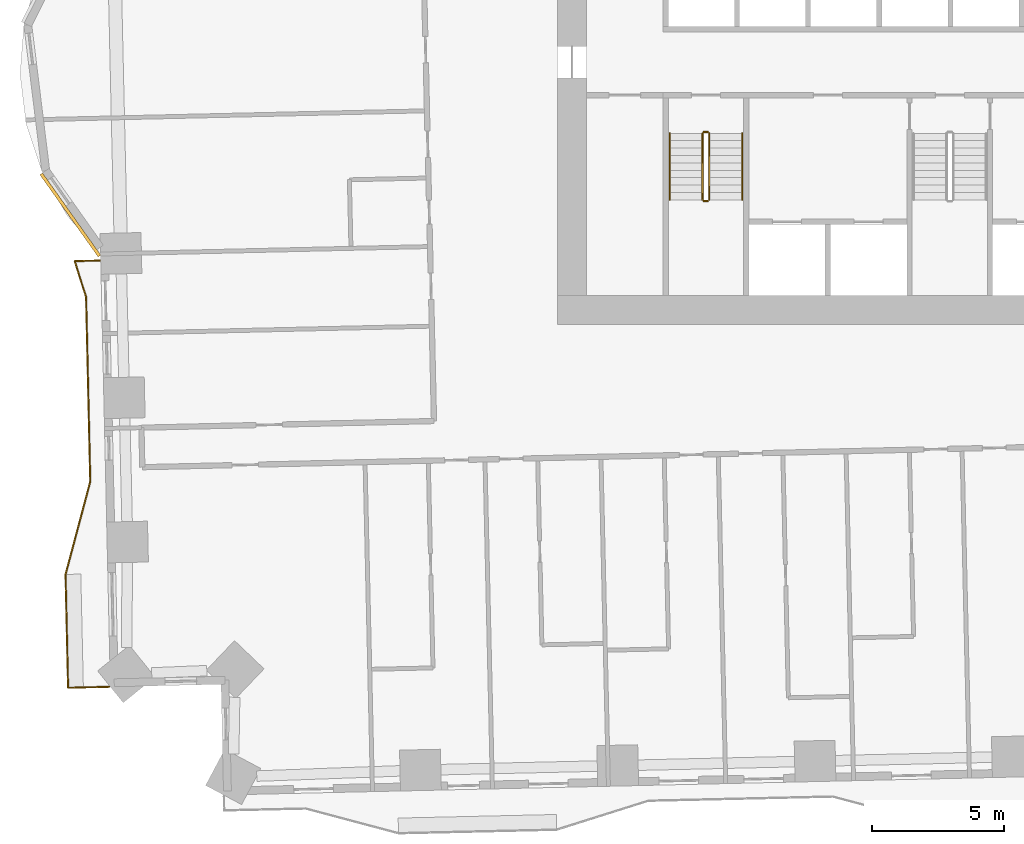
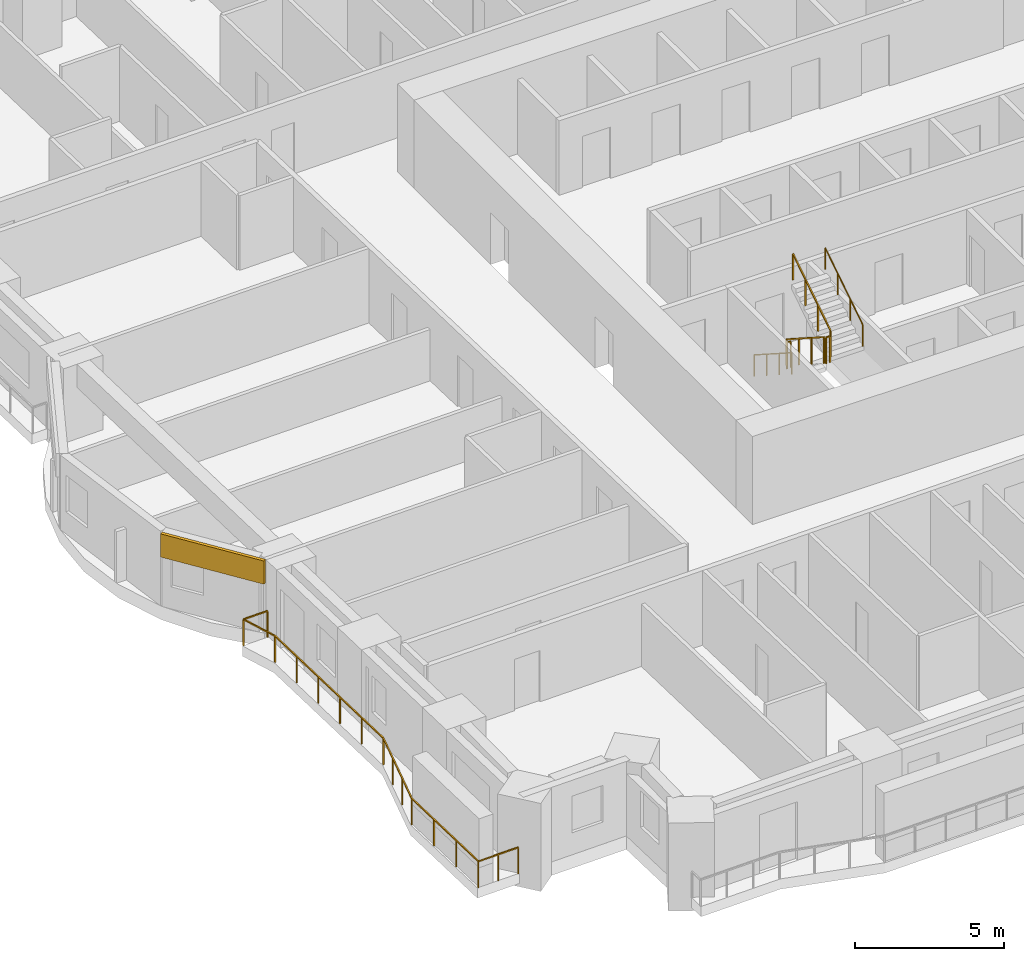
# One storey, part 13 of 16: 7 railings, 1 covering.
"""IFC4 building model written with IfcOpenShell, lengths in metres."""

from ifc_helpers import new_model, si_unit, direction, frame, frame_2d, origin, origin_2d, place, context, subcontext, project, spatial, rectangle, circle, extrude, material, layer, layer_set, type_object, element, save


model = new_model("IFC4")

# Units and contexts
model_context = context("Model", 3, precision=1e-05, world=origin(), true_north=direction((0.0, 1.0)))
body_context = subcontext(model_context, "Body", "Model", "MODEL_VIEW")
ifc_project = project(units=[si_unit("LENGTHUNIT", "METRE"), si_unit("AREAUNIT", "SQUARE_METRE"), si_unit("VOLUMEUNIT", "CUBIC_METRE"), si_unit("PLANEANGLEUNIT", "RADIAN"), si_unit("MASSUNIT", "GRAM", prefix="KILO")], contexts=[model_context])

# Site, building, storey
site_placement = place(None, origin())
site = spatial("IfcSite", under=ifc_project, at=site_placement, CompositionType="ELEMENT")
building_placement = place(site_placement, origin())
building = spatial("IfcBuilding", under=site, at=building_placement, Name="Mangrove Gate Tower", CompositionType="ELEMENT")
storey_placement = place(building_placement, frame((0.0, 0.0, 34.10009765625)))
storey = spatial("IfcBuildingStorey", under=building, at=storey_placement, Name="L07", CompositionType="ELEMENT", Elevation=34.10009765625)

# Railings
ifc_material_1 = material(Name="Stainless steel grade 316 with laminated glass infill", Category="steel")
railing_type_1 = type_object("IfcRailingType", Name="Balcony guard 1100", PredefinedType="GUARDRAIL", material=ifc_material_1)
railing_1_placement = place(storey_placement, frame((-32.27001953125, -9.472900390625, 0.0)))
element("IfcRailing", 1, at=railing_1_placement, inside=storey, type_object=railing_type_1, Name="GUARD L07 W2", PredefinedType="GUARDRAIL", context=body_context, shape_type="SweptSolid", body=[
    extrude(rectangle(XDim=0.048095703125, YDim=0.048095703125, at=origin_2d()), frame((0.0, 0.0, 1.076171875), z_axis=(-0.999724935836, -0.02345320164, 0.0), x_axis=(0.02345320164, -0.999724935836, 0.0)), (0.0, 0.0, 1.0), 0.947265625),
    extrude(rectangle(XDim=0.048095703125, YDim=0.048095703125, at=origin_2d()), frame((-0.947021484375, -0.022216796875, 1.076171875), z_axis=(0.301196667135, -0.953562041876, 0.0), x_axis=(0.953562041876, 0.301196667135, 0.0)), (0.0, 0.0, 1.0), 1.431396484375),
    extrude(rectangle(XDim=0.048095703125, YDim=0.048095703125, at=origin_2d()), frame((-0.515869140625, -1.38720703125, 1.076171875), z_axis=(0.022706351659, -0.999742177561, 0.0), x_axis=(0.999742177561, 0.022706351659, 0.0)), (0.0, 0.0, 1.0), 6.99951171875),
    extrude(rectangle(XDim=0.048095703125, YDim=0.048095703125, at=origin_2d()), frame((-0.35693359375, -8.385009765625, 1.076171875), z_axis=(-0.257354119999, -0.966317161661, 0.0), x_axis=(0.966317161661, -0.257354119999, 0.0)), (0.0, 0.0, 1.0), 3.644775390625),
    extrude(rectangle(XDim=0.048095703125, YDim=0.048095703125, at=origin_2d()), frame((-1.294921875, -11.906982421875, 1.076171875), z_axis=(0.022539561751, -0.999745951808, 0.0), x_axis=(0.999745951808, 0.022539561751, 0.0)), (0.0, 0.0, 1.0), 4.300048828125),
    extrude(rectangle(XDim=0.048095703125, YDim=0.048095703125, at=origin_2d()), frame((-1.197998046875, -16.2060546875, 1.076171875), z_axis=(0.999751249507, 0.022303343008, 0.0), x_axis=(-0.022303343008, 0.999751249507, 0.0)), (0.0, 0.0, 1.0), 1.5654296875),
    extrude(rectangle(XDim=0.0419921875, YDim=0.0419921875, at=origin_2d()), origin(), (0.0, 0.0, 1.0), 1.052001953125),
    extrude(rectangle(XDim=0.0419921875, YDim=0.0419921875, at=origin_2d()), frame((-0.947021484375, -0.022216796875, 0.0)), (0.0, 0.0, 1.0), 1.052001953125),
    extrude(rectangle(XDim=0.0419921875, YDim=0.0419921875, at=origin_2d()), frame((-0.515869140625, -1.38720703125, 0.0)), (0.0, 0.0, 1.0), 1.052001953125),
    extrude(rectangle(XDim=0.0419921875, YDim=0.0419921875, at=origin_2d()), frame((-0.484130859375, -2.786865234375, 0.0)), (0.0, 0.0, 1.0), 1.052001953125),
    extrude(rectangle(XDim=0.0419921875, YDim=0.0419921875, at=origin_2d()), frame((-0.452392578125, -4.186279296875, 0.0)), (0.0, 0.0, 1.0), 1.052001953125),
    extrude(rectangle(XDim=0.0419921875, YDim=0.0419921875, at=origin_2d()), frame((-0.42041015625, -5.5859375, 0.0)), (0.0, 0.0, 1.0), 1.052001953125),
    extrude(rectangle(XDim=0.0419921875, YDim=0.0419921875, at=origin_2d()), frame((-0.388671875, -6.9853515625, 0.0)), (0.0, 0.0, 1.0), 1.052001953125),
    extrude(rectangle(XDim=0.0419921875, YDim=0.0419921875, at=origin_2d()), frame((-0.35693359375, -8.385009765625, 0.0)), (0.0, 0.0, 1.0), 1.052001953125),
    extrude(rectangle(XDim=0.0419921875, YDim=0.0419921875, at=origin_2d()), frame((-0.669677734375, -9.55908203125, 0.0)), (0.0, 0.0, 1.0), 1.052001953125),
    extrude(rectangle(XDim=0.0419921875, YDim=0.0419921875, at=origin_2d()), frame((-0.982177734375, -10.73291015625, 0.0)), (0.0, 0.0, 1.0), 1.052001953125),
    extrude(rectangle(XDim=0.0419921875, YDim=0.0419921875, at=origin_2d()), frame((-1.294921875, -11.906982421875, 0.0)), (0.0, 0.0, 1.0), 1.052001953125),
    extrude(rectangle(XDim=0.0419921875, YDim=0.0419921875, at=origin_2d()), frame((-1.2626953125, -13.340087890625, 0.0)), (0.0, 0.0, 1.0), 1.052001953125),
    extrude(rectangle(XDim=0.0419921875, YDim=0.0419921875, at=origin_2d()), frame((-1.230224609375, -14.77294921875, 0.0)), (0.0, 0.0, 1.0), 1.052001953125),
    extrude(rectangle(XDim=0.0419921875, YDim=0.0419921875, at=origin_2d()), frame((-1.197998046875, -16.2060546875, 0.0)), (0.0, 0.0, 1.0), 1.052001953125),
    extrude(rectangle(XDim=0.0419921875, YDim=0.0419921875, at=origin_2d()), frame((-0.41552734375, -16.1884765625, 0.0)), (0.0, 0.0, 1.0), 1.052001953125),
    extrude(rectangle(XDim=0.0419921875, YDim=0.0419921875, at=origin_2d()), frame((0.366943359375, -16.171142578125, 0.0)), (0.0, 0.0, 1.0), 1.052001953125),
])
ifc_material_2 = material(Name="Stainless steel 316", Category="steel")
railing_type_2 = type_object("IfcRailingType", Name="Core stair guard 1100", PredefinedType="GUARDRAIL", material=ifc_material_2)
railing_2_placement = place(storey_placement, frame((-9.39990234375, -4.64990234375, 0.179931640625)))
element("IfcRailing", 2, at=railing_2_placement, inside=storey, type_object=railing_type_2, Name="L07 ST1 stair guard 1", PredefinedType="GUARDRAIL", context=body_context, shape_type="SweptSolid", body=[
    extrude(rectangle(XDim=0.048095703125, YDim=0.048095703125, at=origin_2d()), frame((0.0, 0.0, 1.076171875), z_axis=(0.0, -0.841199657755, 0.540724639528), x_axis=(1.0, 0.0, 0.0)), (0.0, 0.0, 1.0), 2.995849609375),
    extrude(rectangle(XDim=0.0419921875, YDim=0.0419921875, at=origin_2d()), origin(), (0.0, 0.0, 1.0), 1.052001953125),
    extrude(rectangle(XDim=0.0419921875, YDim=0.0419921875, at=origin_2d()), frame((0.0, -0.840087890625, 0.5400390625)), (0.0, 0.0, 1.0), 1.052001953125),
    extrude(rectangle(XDim=0.0419921875, YDim=0.0419921875, at=origin_2d()), frame((0.0, -1.679931640625, 1.079833984375)), (0.0, 0.0, 1.0), 1.052001953125),
    extrude(rectangle(XDim=0.0419921875, YDim=0.0419921875, at=origin_2d()), frame((0.0, -2.52001953125, 1.619873046875)), (0.0, 0.0, 1.0), 1.052001953125),
])
railing_3_placement = place(storey_placement, frame((-9.35009765625, -7.219970703125, 1.7998046875)))
element("IfcRailing", 3, at=railing_3_placement, inside=storey, type_object=railing_type_2, Name="L07 ST1 stair guard 2", PredefinedType="GUARDRAIL", context=body_context, shape_type="SweptSolid", body=[
    extrude(rectangle(XDim=0.048095703125, YDim=0.048095703125, at=origin_2d()), frame((0.0, 0.0, 1.076171875), z_axis=(1.0, 0.0, 0.0), x_axis=(0.0, 1.0, 0.0)), (0.0, 0.0, 1.0), 0.150146484375),
    extrude(rectangle(XDim=0.0419921875, YDim=0.0419921875, at=origin_2d()), origin(), (0.0, 0.0, 1.0), 1.052001953125),
    extrude(rectangle(XDim=0.0419921875, YDim=0.0419921875, at=origin_2d()), frame((0.150146484375, 0.0, 0.0)), (0.0, 0.0, 1.0), 1.052001953125),
])
railing_4_placement = place(storey_placement, frame((-9.14990234375, -7.169921875, 1.97998046875)))
element("IfcRailing", 4, at=railing_4_placement, inside=storey, type_object=railing_type_2, Name="L07 ST1 stair guard 3", PredefinedType="GUARDRAIL", context=body_context, shape_type="SweptSolid", body=[
    extrude(rectangle(XDim=0.048095703125, YDim=0.048095703125, at=origin_2d()), frame((0.0, 0.0, 1.076171875), z_axis=(0.0, 0.841199657755, 0.540724639528), x_axis=(-1.0, 0.0, 0.0)), (0.0, 0.0, 1.0), 2.995849609375),
    extrude(rectangle(XDim=0.0419921875, YDim=0.0419921875, at=origin_2d()), origin(), (0.0, 0.0, 1.0), 1.052001953125),
    extrude(rectangle(XDim=0.0419921875, YDim=0.0419921875, at=origin_2d()), frame((0.0, 0.840087890625, 0.5400390625)), (0.0, 0.0, 1.0), 1.052001953125),
    extrude(rectangle(XDim=0.0419921875, YDim=0.0419921875, at=origin_2d()), frame((0.0, 1.679931640625, 1.079833984375)), (0.0, 0.0, 1.0), 1.052001953125),
    extrude(rectangle(XDim=0.0419921875, YDim=0.0419921875, at=origin_2d()), frame((0.0, 2.52001953125, 1.619873046875)), (0.0, 0.0, 1.0), 1.052001953125),
])
railing_5_placement = place(storey_placement, frame((-9.35009765625, -4.60009765625, 0.0)))
element("IfcRailing", 5, at=railing_5_placement, inside=storey, type_object=railing_type_2, Name="L07 ST1 stair guard 4", PredefinedType="GUARDRAIL", context=body_context, shape_type="SweptSolid", body=[
    extrude(rectangle(XDim=0.048095703125, YDim=0.048095703125, at=origin_2d()), frame((0.0, 0.0, 1.076171875), z_axis=(1.0, 0.0, 0.0), x_axis=(0.0, 1.0, 0.0)), (0.0, 0.0, 1.0), 0.150146484375),
    extrude(rectangle(XDim=0.0419921875, YDim=0.0419921875, at=origin_2d()), origin(), (0.0, 0.0, 1.0), 1.052001953125),
    extrude(rectangle(XDim=0.0419921875, YDim=0.0419921875, at=origin_2d()), frame((0.150146484375, 0.0, 0.0)), (0.0, 0.0, 1.0), 1.052001953125),
])
ifc_material_3 = material(Name="Stainless steel 316", Category="steel")
railing_type_3 = type_object("IfcRailingType", Name="Core stair handrail 900", PredefinedType="HANDRAIL", material=ifc_material_3)
railing_6_placement = place(storey_placement, frame((-10.64990234375, -4.64990234375, 0.179931640625)))
element("IfcRailing", 6, at=railing_6_placement, inside=storey, type_object=railing_type_3, Name="L07 ST1 stair handrail 1", PredefinedType="HANDRAIL", context=body_context, shape_type="SweptSolid", body=[
    extrude(circle(Radius=0.02392578125, at=origin_2d()), frame((0.0, 0.0, 0.8759765625), z_axis=(0.0, -0.841199657755, 0.540724639528), x_axis=(1.0, 0.0, 0.0)), (0.0, 0.0, 1.0), 2.995849609375),
    extrude(circle(Radius=0.02099609375, at=origin_2d()), origin(), (0.0, 0.0, 1.0), 0.851806640625),
    extrude(circle(Radius=0.02099609375, at=origin_2d()), frame((0.0, -0.840087890625, 0.5400390625)), (0.0, 0.0, 1.0), 0.851806640625),
    extrude(circle(Radius=0.02099609375, at=origin_2d()), frame((0.0, -1.679931640625, 1.079833984375)), (0.0, 0.0, 1.0), 0.851806640625),
    extrude(circle(Radius=0.02099609375, at=origin_2d()), frame((0.0, -2.52001953125, 1.619873046875)), (0.0, 0.0, 1.0), 0.851806640625),
])
railing_7_placement = place(storey_placement, frame((-7.89990234375, -7.169921875, 1.97998046875)))
element("IfcRailing", 7, at=railing_7_placement, inside=storey, type_object=railing_type_3, Name="L07 ST1 stair handrail 2", PredefinedType="HANDRAIL", context=body_context, shape_type="SweptSolid", body=[
    extrude(circle(Radius=0.02392578125, at=origin_2d()), frame((0.0, 0.0, 0.8759765625), z_axis=(0.0, 0.841199657755, 0.540724639528), x_axis=(-1.0, 0.0, 0.0)), (0.0, 0.0, 1.0), 2.995849609375),
    extrude(circle(Radius=0.02099609375, at=origin_2d()), origin(), (0.0, 0.0, 1.0), 0.851806640625),
    extrude(circle(Radius=0.02099609375, at=origin_2d()), frame((0.0, 0.840087890625, 0.5400390625)), (0.0, 0.0, 1.0), 0.851806640625),
    extrude(circle(Radius=0.02099609375, at=origin_2d()), frame((0.0, 1.679931640625, 1.079833984375)), (0.0, 0.0, 1.0), 0.851806640625),
    extrude(circle(Radius=0.02099609375, at=origin_2d()), frame((0.0, 2.52001953125, 1.619873046875)), (0.0, 0.0, 1.0), 0.851806640625),
])

# Covering
ifc_material_4 = material(Name="Limestone", Category="masonry")
ifc_layer_1 = layer(ifc_material_4, 0.0400390625, Name="Limestone cladding")
ifc_material_5 = material(Name="Stainless steel anchors and cavity", Category="steel")
ifc_layer_2 = layer(ifc_material_5, 0.080078125, Name="Fixing cavity")
ifc_layer_set = layer_set([ifc_layer_1, ifc_layer_2], Name="Joint fascia cladding 120")
covering_type = type_object("IfcCoveringType", Name="Joint fascia cladding 120", PredefinedType="CLADDING", material=ifc_layer_set)
covering_placement = place(storey_placement, frame((-34.486083984375, -6.18701171875, 2.099853515625), z_axis=(0.0, 0.0, 1.0), x_axis=(0.578168098379, -0.815917673553, 0.0)))
element("IfcCovering", 8, at=covering_placement, inside=storey, type_object=covering_type, Name="STONE FASCIA L07 W9.L2", PredefinedType="CLADDING", context=body_context, shape_type="SweptSolid", body=[
    extrude(rectangle(XDim=3.819091796875, YDim=0.1201171875, at=frame_2d((1.90966796875, 0.0))), origin(), (0.0, 0.0, 1.0), 0.949951171875),
])

save(model, "model.ifc")
